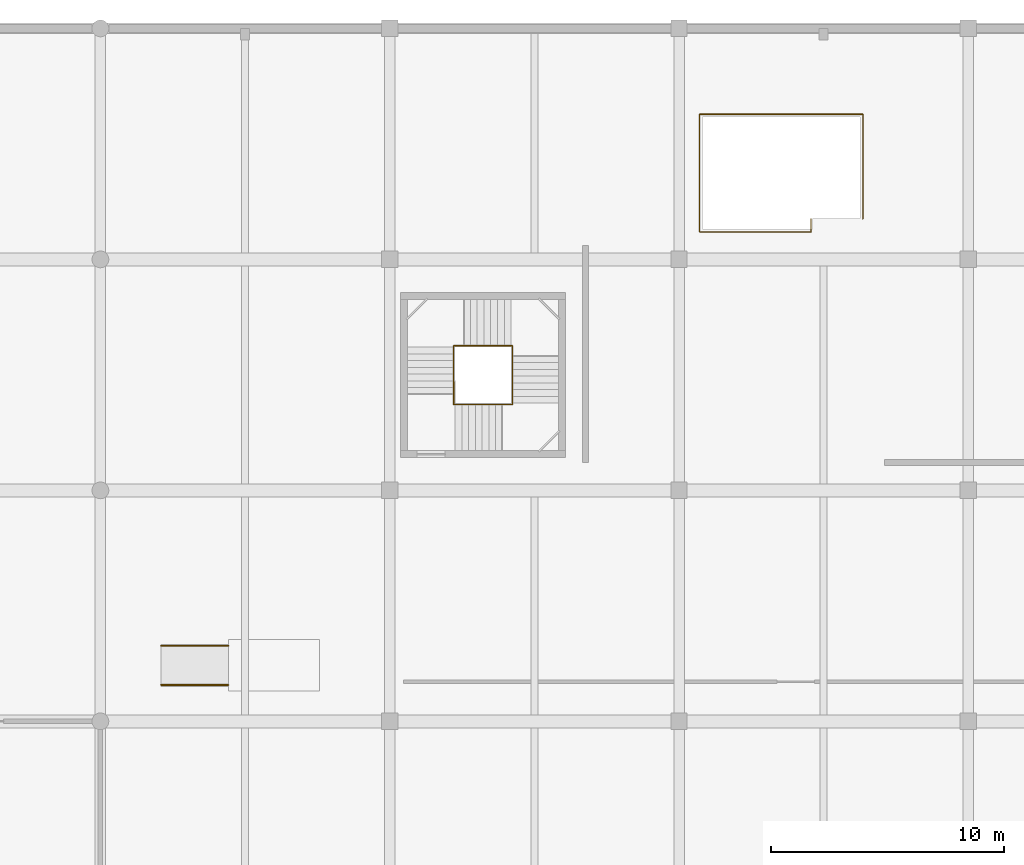
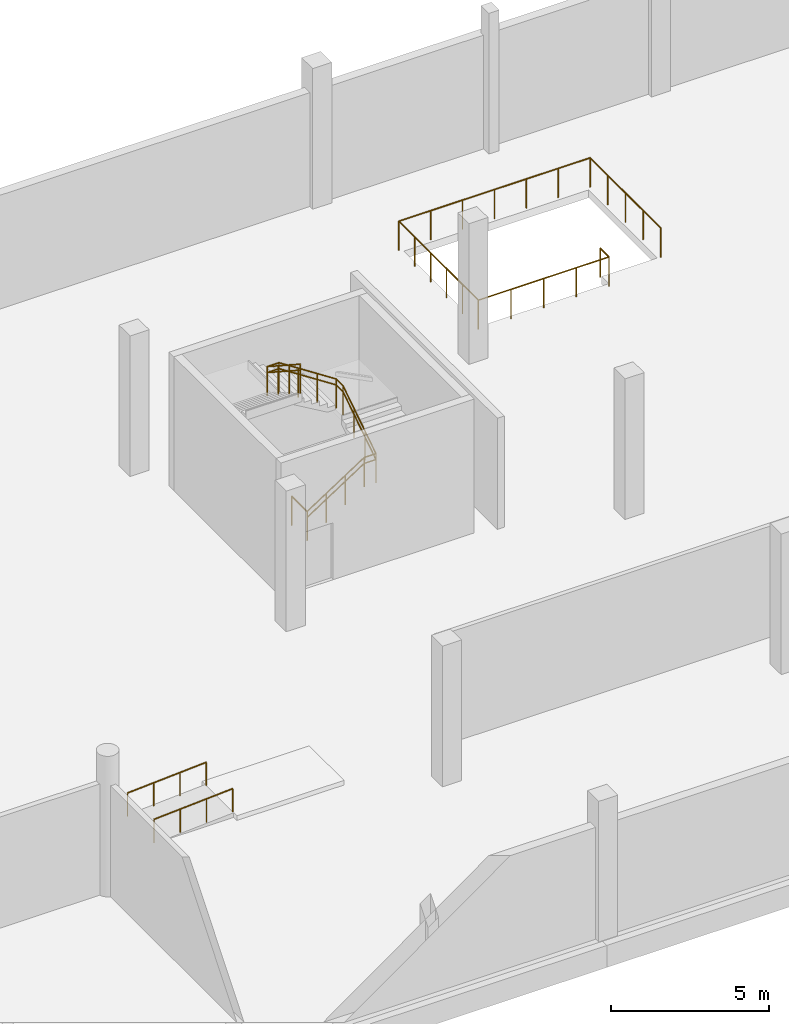
# One storey, part 47 of 50: 6 railings.
"""IFC4 building model written with IfcOpenShell, lengths in metres."""

from ifc_helpers import new_model, si_unit, direction, frame, origin, origin_2d, place, context, subcontext, project, spatial, circle, extrude, material, type_object, element, save


model = new_model("IFC4")

# Units and contexts
model_context = context("Model", 3, precision=1e-05, world=origin(), true_north=direction((0.0, 1.0)))
body_context = subcontext(model_context, "Body", "Model", "MODEL_VIEW")
ifc_project = project(units=[si_unit("LENGTHUNIT", "METRE"), si_unit("AREAUNIT", "SQUARE_METRE"), si_unit("VOLUMEUNIT", "CUBIC_METRE"), si_unit("PLANEANGLEUNIT", "RADIAN"), si_unit("MASSUNIT", "GRAM", prefix="KILO")], contexts=[model_context])

# Site, building, storey
site_placement = place(None, origin())
site = spatial("IfcSite", under=ifc_project, at=site_placement, CompositionType="ELEMENT")
building_placement = place(site_placement, origin())
building = spatial("IfcBuilding", under=site, at=building_placement, Name="Sillaruma Civic Art Gallery", CompositionType="ELEMENT")
storey_placement = place(building_placement, origin())
storey = spatial("IfcBuildingStorey", under=building, at=storey_placement, Name="L00", CompositionType="ELEMENT", Elevation=0.0)

# Railings
ifc_material = material(Name="Stainless Steel AISI 316", Category="steel")
railing_type_1 = type_object("IfcRailingType", Name="RAL-BAL-1150", PredefinedType="BALUSTRADE", material=ifc_material)
railing_1_placement = place(storey_placement, frame((27.5400390625, 102.679931640625, 0.0)))
element("IfcRailing", 1, at=railing_1_placement, inside=storey, type_object=railing_type_1, Name="Stair Floor Edge Guard (ST-01:L00)", PredefinedType="BALUSTRADE", context=body_context, shape_type="SweptSolid", body=[
    extrude(circle(Radius=0.02392578125, at=origin_2d()), frame((0.0, 0.0, 1.1259765625), z_axis=(0.0, 1.0, 0.0), x_axis=(-1.0, 0.0, 0.0)), (0.0, 0.0, 1.0), 0.969970703125),
    extrude(circle(Radius=0.02099609375, at=origin_2d()), origin(), (0.0, 0.0, 1.0), 1.101806640625),
    extrude(circle(Radius=0.02099609375, at=origin_2d()), frame((0.0, 0.969970703125, 0.0)), (0.0, 0.0, 1.0), 1.101806640625),
])
railing_2_placement = place(storey_placement, frame((27.5400390625, 102.679931640625, 0.0)))
element("IfcRailing", 2, at=railing_2_placement, inside=storey, type_object=railing_type_1, Name="Stair Well Balustrade (ST-01-L00)", PredefinedType="BALUSTRADE", context=body_context, shape_type="SweptSolid", body=[
    extrude(circle(Radius=0.02392578125, at=origin_2d()), frame((0.0, 0.0, 1.1259765625), z_axis=(0.838130295786, 0.0, 0.545470079185), x_axis=(0.0, 1.0, 0.0)), (0.0, 0.0, 1.0), 2.493408203125),
    extrude(circle(Radius=0.02392578125, at=origin_2d()), frame((2.08984375, 0.0, 2.48583984375), z_axis=(1.0, 0.0, 0.0), x_axis=(0.0, 1.0, 0.0)), (0.0, 0.0, 1.0), 0.43017578125),
    extrude(circle(Radius=0.02392578125, at=origin_2d()), frame((2.52001953125, 0.0, 2.48583984375), z_axis=(0.0, 0.838204181713, 0.545356534534), x_axis=(-1.0, 0.0, 0.0)), (0.0, 0.0, 1.0), 2.49365234375),
    extrude(circle(Radius=0.02392578125, at=origin_2d()), frame((2.52001953125, 2.090087890625, 3.845703125), z_axis=(0.0, 1.0, 0.0), x_axis=(-1.0, 0.0, 0.0)), (0.0, 0.0, 1.0), 0.429931640625),
    extrude(circle(Radius=0.02392578125, at=origin_2d()), frame((2.52001953125, 2.52001953125, 3.845703125), z_axis=(-0.838159424827, 0.0, 0.545425318971), x_axis=(0.0, -1.0, 0.0)), (0.0, 0.0, 1.0), 2.49365234375),
    extrude(circle(Radius=0.02392578125, at=origin_2d()), frame((0.429931640625, 2.52001953125, 5.2060546875), z_axis=(-1.0, 0.0, 0.0), x_axis=(0.0, -1.0, 0.0)), (0.0, 0.0, 1.0), 0.429931640625),
    extrude(circle(Radius=0.02392578125, at=origin_2d()), frame((0.0, 2.52001953125, 5.2060546875), z_axis=(0.0, -0.838175058464, 0.545401293883), x_axis=(1.0, 0.0, 0.0)), (0.0, 0.0, 1.0), 2.493408203125),
    extrude(circle(Radius=0.02099609375, at=origin_2d()), origin(), (0.0, 0.0, 1.0), 1.101806640625),
    extrude(circle(Radius=0.02099609375, at=origin_2d()), frame((0.696533203125, 0.0, 0.453369140625)), (0.0, 0.0, 1.0), 1.101806640625),
    extrude(circle(Radius=0.02099609375, at=origin_2d()), frame((1.393310546875, 0.0, 0.90673828125)), (0.0, 0.0, 1.0), 1.101806640625),
    extrude(circle(Radius=0.02099609375, at=origin_2d()), frame((2.08984375, 0.0, 1.360107421875)), (0.0, 0.0, 1.0), 1.101806640625),
    extrude(circle(Radius=0.02099609375, at=origin_2d()), frame((2.52001953125, 0.0, 1.360107421875)), (0.0, 0.0, 1.0), 1.101806640625),
    extrude(circle(Radius=0.02099609375, at=origin_2d()), frame((2.52001953125, 0.69677734375, 1.8134765625)), (0.0, 0.0, 1.0), 1.101806640625),
    extrude(circle(Radius=0.02099609375, at=origin_2d()), frame((2.52001953125, 1.393310546875, 2.2666015625)), (0.0, 0.0, 1.0), 1.101806640625),
    extrude(circle(Radius=0.02099609375, at=origin_2d()), frame((2.52001953125, 2.090087890625, 2.719970703125)), (0.0, 0.0, 1.0), 1.101806640625),
    extrude(circle(Radius=0.02099609375, at=origin_2d()), frame((2.52001953125, 2.52001953125, 2.719970703125)), (0.0, 0.0, 1.0), 1.101806640625),
    extrude(circle(Radius=0.02099609375, at=origin_2d()), frame((1.8232421875, 2.52001953125, 3.17333984375)), (0.0, 0.0, 1.0), 1.101806640625),
    extrude(circle(Radius=0.02099609375, at=origin_2d()), frame((1.126708984375, 2.52001953125, 3.626708984375)), (0.0, 0.0, 1.0), 1.101806640625),
    extrude(circle(Radius=0.02099609375, at=origin_2d()), frame((0.429931640625, 2.52001953125, 4.080078125)), (0.0, 0.0, 1.0), 1.101806640625),
    extrude(circle(Radius=0.02099609375, at=origin_2d()), frame((0.0, 2.52001953125, 4.080078125)), (0.0, 0.0, 1.0), 1.101806640625),
    extrude(circle(Radius=0.02099609375, at=origin_2d()), frame((0.0, 1.823486328125, 4.533447265625)), (0.0, 0.0, 1.0), 1.101806640625),
    extrude(circle(Radius=0.02099609375, at=origin_2d()), frame((0.0, 1.126708984375, 4.986572265625)), (0.0, 0.0, 1.0), 1.101806640625),
    extrude(circle(Radius=0.02099609375, at=origin_2d()), frame((0.0, 0.43017578125, 5.43994140625)), (0.0, 0.0, 1.0), 1.101806640625),
])
railing_3_placement = place(storey_placement, frame((42.860107421875, 110.639892578125, 0.0)))
element("IfcRailing", 3, at=railing_3_placement, inside=storey, type_object=railing_type_1, Name="Feature Stair Arrival Well Balustrade (ST-G01)", PredefinedType="BALUSTRADE", context=body_context, shape_type="SweptSolid", body=[
    extrude(circle(Radius=0.02392578125, at=origin_2d()), frame((0.0, 0.0, 1.1259765625), z_axis=(0.0, -1.0, 0.0), x_axis=(1.0, 0.0, 0.0)), (0.0, 0.0, 1.0), 0.559814453125),
    extrude(circle(Radius=0.02392578125, at=origin_2d()), frame((0.0, -0.559814453125, 1.1259765625), z_axis=(-1.0, 0.0, 0.0), x_axis=(0.0, -1.0, 0.0)), (0.0, 0.0, 1.0), 4.780029296875),
    extrude(circle(Radius=0.02392578125, at=origin_2d()), frame((-4.780029296875, -0.559814453125, 1.1259765625), z_axis=(0.0, 1.0, 0.0), x_axis=(-1.0, 0.0, 0.0)), (0.0, 0.0, 1.0), 5.0400390625),
    extrude(circle(Radius=0.02392578125, at=origin_2d()), frame((-4.780029296875, 4.480224609375, 1.1259765625), z_axis=(1.0, 0.0, 0.0), x_axis=(0.0, 1.0, 0.0)), (0.0, 0.0, 1.0), 7.0),
    extrude(circle(Radius=0.02392578125, at=origin_2d()), frame((2.219970703125, 4.480224609375, 1.1259765625), z_axis=(0.0, -1.0, 0.0), x_axis=(1.0, 0.0, 0.0)), (0.0, 0.0, 1.0), 4.480224609375),
    extrude(circle(Radius=0.02099609375, at=origin_2d()), origin(), (0.0, 0.0, 1.0), 1.101806640625),
    extrude(circle(Radius=0.02099609375, at=origin_2d()), frame((0.0, -0.559814453125, 0.0)), (0.0, 0.0, 1.0), 1.101806640625),
    extrude(circle(Radius=0.02099609375, at=origin_2d()), frame((-1.195068359375, -0.559814453125, 0.0)), (0.0, 0.0, 1.0), 1.101806640625),
    extrude(circle(Radius=0.02099609375, at=origin_2d()), frame((-2.39013671875, -0.559814453125, 0.0)), (0.0, 0.0, 1.0), 1.101806640625),
    extrude(circle(Radius=0.02099609375, at=origin_2d()), frame((-3.5849609375, -0.559814453125, 0.0)), (0.0, 0.0, 1.0), 1.101806640625),
    extrude(circle(Radius=0.02099609375, at=origin_2d()), frame((-4.780029296875, -0.559814453125, 0.0)), (0.0, 0.0, 1.0), 1.101806640625),
    extrude(circle(Radius=0.02099609375, at=origin_2d()), frame((-4.780029296875, 0.4482421875, 0.0)), (0.0, 0.0, 1.0), 1.101806640625),
    extrude(circle(Radius=0.02099609375, at=origin_2d()), frame((-4.780029296875, 1.456298828125, 0.0)), (0.0, 0.0, 1.0), 1.101806640625),
    extrude(circle(Radius=0.02099609375, at=origin_2d()), frame((-4.780029296875, 2.464111328125, 0.0)), (0.0, 0.0, 1.0), 1.101806640625),
    extrude(circle(Radius=0.02099609375, at=origin_2d()), frame((-4.780029296875, 3.47216796875, 0.0)), (0.0, 0.0, 1.0), 1.101806640625),
    extrude(circle(Radius=0.02099609375, at=origin_2d()), frame((-4.780029296875, 4.480224609375, 0.0)), (0.0, 0.0, 1.0), 1.101806640625),
    extrude(circle(Radius=0.02099609375, at=origin_2d()), frame((-3.61328125, 4.480224609375, 0.0)), (0.0, 0.0, 1.0), 1.101806640625),
    extrude(circle(Radius=0.02099609375, at=origin_2d()), frame((-2.44677734375, 4.480224609375, 0.0)), (0.0, 0.0, 1.0), 1.101806640625),
    extrude(circle(Radius=0.02099609375, at=origin_2d()), frame((-1.280029296875, 4.480224609375, 0.0)), (0.0, 0.0, 1.0), 1.101806640625),
    extrude(circle(Radius=0.02099609375, at=origin_2d()), frame((-0.11328125, 4.480224609375, 0.0)), (0.0, 0.0, 1.0), 1.101806640625),
    extrude(circle(Radius=0.02099609375, at=origin_2d()), frame((1.05322265625, 4.480224609375, 0.0)), (0.0, 0.0, 1.0), 1.101806640625),
    extrude(circle(Radius=0.02099609375, at=origin_2d()), frame((2.219970703125, 4.480224609375, 0.0)), (0.0, 0.0, 1.0), 1.101806640625),
    extrude(circle(Radius=0.02099609375, at=origin_2d()), frame((2.219970703125, 3.360107421875, 0.0)), (0.0, 0.0, 1.0), 1.101806640625),
    extrude(circle(Radius=0.02099609375, at=origin_2d()), frame((2.219970703125, 2.240234375, 0.0)), (0.0, 0.0, 1.0), 1.101806640625),
    extrude(circle(Radius=0.02099609375, at=origin_2d()), frame((2.219970703125, 1.1201171875, 0.0)), (0.0, 0.0, 1.0), 1.101806640625),
    extrude(circle(Radius=0.02099609375, at=origin_2d()), frame((2.219970703125, 0.0, 0.0)), (0.0, 0.0, 1.0), 1.101806640625),
])
railing_type_2 = type_object("IfcRailingType", Name="RAL-HND-920", PredefinedType="HANDRAIL", material=ifc_material)
for number, where, name in (
    (4, (15.0, 90.659912109375, 0.0), "West Foyer Accessible Gallery Ramp RMP-W1 Handrail 1"),
    (5, (15.0, 92.340087890625, 0.0), "West Foyer Accessible Gallery Ramp RMP-W1 Handrail 2"),
):
    element("IfcRailing", number, at=place(storey_placement, frame(where)), inside=storey, type_object=railing_type_2, Name=name, PredefinedType="HANDRAIL", context=body_context, shape_type="SweptSolid", body=[
        extrude(circle(Radius=0.02392578125, at=origin_2d()), frame((0.0, 0.0, 0.89599609375), z_axis=(0.99805389514, 0.0, 0.062357216066), x_axis=(0.0, 1.0, 0.0)), (0.0, 0.0, 1.0), 2.885498046875),
        extrude(circle(Radius=0.02099609375, at=origin_2d()), origin(), (0.0, 0.0, 1.0), 0.871826171875),
        extrude(circle(Radius=0.02099609375, at=origin_2d()), frame((0.9599609375, 0.0, 0.06005859375)), (0.0, 0.0, 1.0), 0.871826171875),
        extrude(circle(Radius=0.02099609375, at=origin_2d()), frame((1.919921875, 0.0, 0.119873046875)), (0.0, 0.0, 1.0), 0.871826171875),
        extrude(circle(Radius=0.02099609375, at=origin_2d()), frame((2.8798828125, 0.0, 0.179931640625)), (0.0, 0.0, 1.0), 0.871826171875),
    ])
railing_4_placement = place(storey_placement, frame((27.5400390625, 102.679931640625, 0.0)))
element("IfcRailing", 6, at=railing_4_placement, inside=storey, type_object=railing_type_2, Name="Stair Continuous Handrail (ST-01-L00)", PredefinedType="HANDRAIL", context=body_context, shape_type="SweptSolid", body=[
    extrude(circle(Radius=0.02392578125, at=origin_2d()), frame((0.0, 0.0, 0.89599609375), z_axis=(0.838130295786, 0.0, 0.545470079185), x_axis=(0.0, 1.0, 0.0)), (0.0, 0.0, 1.0), 2.493408203125),
    extrude(circle(Radius=0.02392578125, at=origin_2d()), frame((2.08984375, 0.0, 2.255859375), z_axis=(1.0, 0.0, 0.0), x_axis=(0.0, 1.0, 0.0)), (0.0, 0.0, 1.0), 0.43017578125),
    extrude(circle(Radius=0.02392578125, at=origin_2d()), frame((2.52001953125, 0.0, 2.255859375), z_axis=(0.0, 0.838204181713, 0.545356534534), x_axis=(-1.0, 0.0, 0.0)), (0.0, 0.0, 1.0), 2.49365234375),
    extrude(circle(Radius=0.02392578125, at=origin_2d()), frame((2.52001953125, 2.090087890625, 3.61572265625), z_axis=(0.0, 1.0, 0.0), x_axis=(-1.0, 0.0, 0.0)), (0.0, 0.0, 1.0), 0.429931640625),
    extrude(circle(Radius=0.02392578125, at=origin_2d()), frame((2.52001953125, 2.52001953125, 3.61572265625), z_axis=(-0.838159424827, 0.0, 0.545425318971), x_axis=(0.0, -1.0, 0.0)), (0.0, 0.0, 1.0), 2.49365234375),
    extrude(circle(Radius=0.02392578125, at=origin_2d()), frame((0.429931640625, 2.52001953125, 4.97607421875), z_axis=(-1.0, 0.0, 0.0), x_axis=(0.0, -1.0, 0.0)), (0.0, 0.0, 1.0), 0.429931640625),
    extrude(circle(Radius=0.02392578125, at=origin_2d()), frame((0.0, 2.52001953125, 4.97607421875), z_axis=(0.0, -0.838175058464, 0.545401293883), x_axis=(1.0, 0.0, 0.0)), (0.0, 0.0, 1.0), 2.493408203125),
    extrude(circle(Radius=0.02099609375, at=origin_2d()), origin(), (0.0, 0.0, 1.0), 0.871826171875),
    extrude(circle(Radius=0.02099609375, at=origin_2d()), frame((0.696533203125, 0.0, 0.453369140625)), (0.0, 0.0, 1.0), 0.871826171875),
    extrude(circle(Radius=0.02099609375, at=origin_2d()), frame((1.393310546875, 0.0, 0.90673828125)), (0.0, 0.0, 1.0), 0.871826171875),
    extrude(circle(Radius=0.02099609375, at=origin_2d()), frame((2.08984375, 0.0, 1.360107421875)), (0.0, 0.0, 1.0), 0.871826171875),
    extrude(circle(Radius=0.02099609375, at=origin_2d()), frame((2.52001953125, 0.0, 1.360107421875)), (0.0, 0.0, 1.0), 0.871826171875),
    extrude(circle(Radius=0.02099609375, at=origin_2d()), frame((2.52001953125, 0.69677734375, 1.8134765625)), (0.0, 0.0, 1.0), 0.871826171875),
    extrude(circle(Radius=0.02099609375, at=origin_2d()), frame((2.52001953125, 1.393310546875, 2.2666015625)), (0.0, 0.0, 1.0), 0.871826171875),
    extrude(circle(Radius=0.02099609375, at=origin_2d()), frame((2.52001953125, 2.090087890625, 2.719970703125)), (0.0, 0.0, 1.0), 0.871826171875),
    extrude(circle(Radius=0.02099609375, at=origin_2d()), frame((2.52001953125, 2.52001953125, 2.719970703125)), (0.0, 0.0, 1.0), 0.871826171875),
    extrude(circle(Radius=0.02099609375, at=origin_2d()), frame((1.8232421875, 2.52001953125, 3.17333984375)), (0.0, 0.0, 1.0), 0.871826171875),
    extrude(circle(Radius=0.02099609375, at=origin_2d()), frame((1.126708984375, 2.52001953125, 3.626708984375)), (0.0, 0.0, 1.0), 0.871826171875),
    extrude(circle(Radius=0.02099609375, at=origin_2d()), frame((0.429931640625, 2.52001953125, 4.080078125)), (0.0, 0.0, 1.0), 0.871826171875),
    extrude(circle(Radius=0.02099609375, at=origin_2d()), frame((0.0, 2.52001953125, 4.080078125)), (0.0, 0.0, 1.0), 0.871826171875),
    extrude(circle(Radius=0.02099609375, at=origin_2d()), frame((0.0, 1.823486328125, 4.533447265625)), (0.0, 0.0, 1.0), 0.871826171875),
    extrude(circle(Radius=0.02099609375, at=origin_2d()), frame((0.0, 1.126708984375, 4.986572265625)), (0.0, 0.0, 1.0), 0.871826171875),
    extrude(circle(Radius=0.02099609375, at=origin_2d()), frame((0.0, 0.43017578125, 5.43994140625)), (0.0, 0.0, 1.0), 0.871826171875),
])

save(model, "model.ifc")
